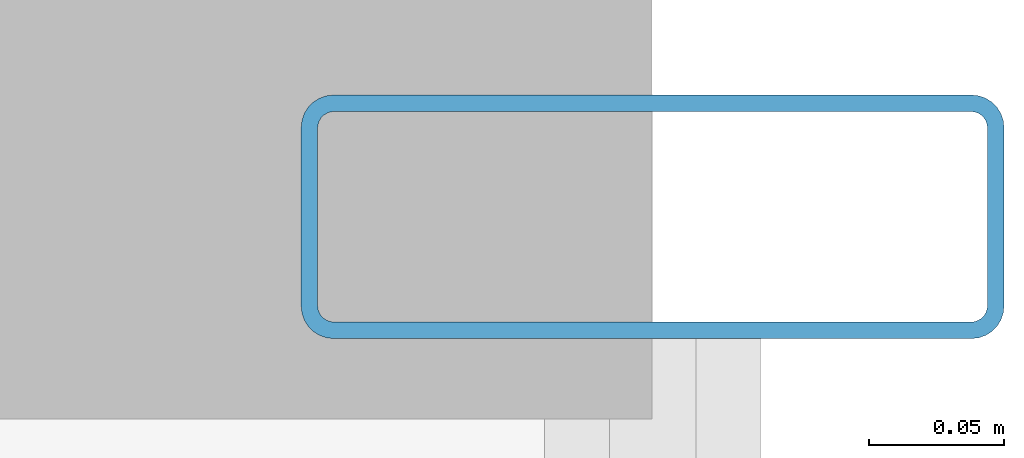
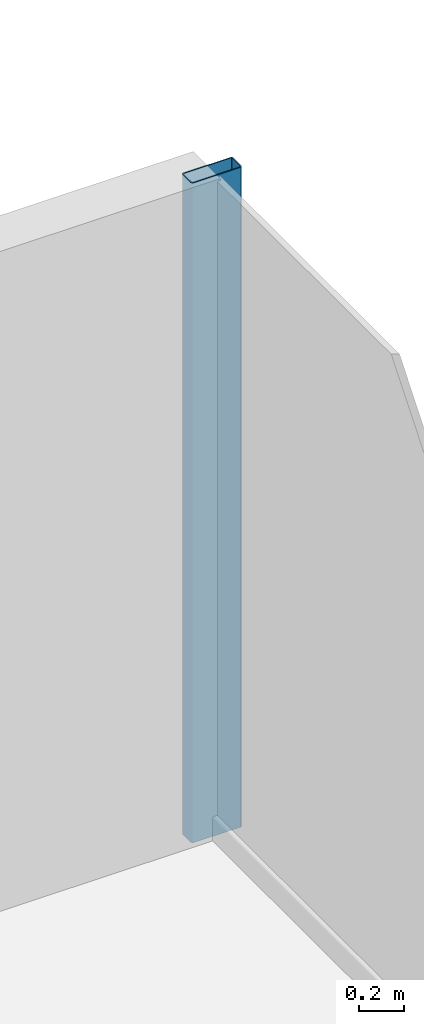
# One storey, part 18 of 26: 1 member, 1 element without a shape of its own.
"""IFC4 building model written with IfcOpenShell, lengths in metres."""

from ifc_helpers import new_model, si_unit, direction, frame, origin, origin_2d, place, context, subcontext, project, spatial, hollow_rectangle, extrude, source, transform, mapped, material, layer, layer_set, material_profile, profile_set, type_object, element, aggregate, save


model = new_model("IFC4")

# Units and contexts
model_context = context("Model", 3, precision=1e-05, world=origin(), true_north=direction((0.0, 1.0)))
body_context = subcontext(model_context, "Body", "Model", "MODEL_VIEW")
ifc_project = project(units=[si_unit("LENGTHUNIT", "METRE"), si_unit("AREAUNIT", "SQUARE_METRE"), si_unit("VOLUMEUNIT", "CUBIC_METRE"), si_unit("PLANEANGLEUNIT", "RADIAN"), si_unit("MASSUNIT", "GRAM", prefix="KILO")], contexts=[model_context])

# Site, building, storey
site_placement = place(None, origin())
site = spatial("IfcSite", under=ifc_project, at=site_placement, CompositionType="ELEMENT")
building_placement = place(site_placement, origin())
building = spatial("IfcBuilding", under=site, at=building_placement, Name="Nefas-Gora Pilgrimage Tower", CompositionType="ELEMENT")
storey_placement = place(building_placement, frame((0.0, 0.0, 59.60009765625)))
storey = spatial("IfcBuildingStorey", under=building, at=storey_placement, Name="L13", CompositionType="ELEMENT", Elevation=59.60009765625)

# Curtain wall, member
ifc_material_1 = material(Name="Dark ceramic-fritted solar-control aluminium-glass curtain wall", Category="aluminium")
ifc_layer = layer(ifc_material_1, 0.219970703125)
ifc_layer_set = layer_set([ifc_layer], Name="Dark ceramic-fritted solar-control aluminium-glass curtain wall")
curtain_wall_type = type_object("IfcCurtainWallType", Name="CW-SYS-2", PredefinedType="NOTDEFINED", material=ifc_layer_set)
curtain_wall_placement = place(storey_placement, origin())
curtain_wall = element("IfcCurtainWall", 1, at=curtain_wall_placement, inside=storey, type_object=curtain_wall_type, Name="L13 Unitised Curtain Wall CW2", PredefinedType="NOTDEFINED")
ifc_material_2 = material(Name="Anodised architectural aluminium", Category="aluminium")
ifc_material_profile = material_profile(ifc_material_2, hollow_rectangle(XDim=0.090087890625, YDim=0.260009765625, WallThickness=0.006103515625, InnerFilletRadius=0.006103515625, OuterFilletRadius=0.011962890625, at=origin_2d()), Name="ALU MULLION 90x260")
ifc_profile_set = profile_set([ifc_material_profile], Name="Anodised architectural aluminium")
member_type = type_object("IfcMemberType", Name="CWM-MUL-2", PredefinedType="MULLION", material=ifc_profile_set)
shared_shape = source(origin(), body_context, "Body", "SweptSolid", [
    extrude(hollow_rectangle(XDim=0.090087890625, YDim=0.260009765625, WallThickness=0.006103515625, InnerFilletRadius=0.006103515625, OuterFilletRadius=0.011962890625, at=origin_2d()), origin(), (0.0, 0.0, 1.0), 3.5498046875),
])
member_placement = place(storey_placement, frame((34.27001953125, 17.574951171875, 0.0), z_axis=(0.0, 0.0, 1.0), x_axis=(0.0, 1.0, 0.0)))
member = element("IfcMember", 2, at=member_placement, type_object=member_type, Name="CW2 Mullion 2", PredefinedType="MULLION", context=body_context, shape_type="MappedRepresentation", body=[
    mapped(shared_shape, transform((0.0, 0.0, 0.0), x_axis=(1.0, 0.0, 0.0), y_axis=(0.0, 1.0, 0.0), z_axis=(0.0, 0.0, 1.0), scale=1.0)),
])
aggregate(curtain_wall, [member])

save(model, "model.ifc")
